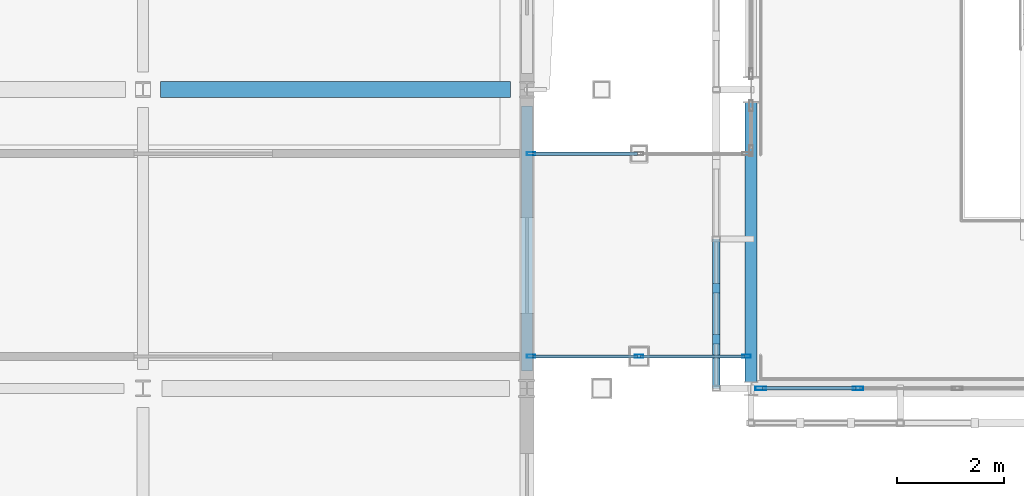
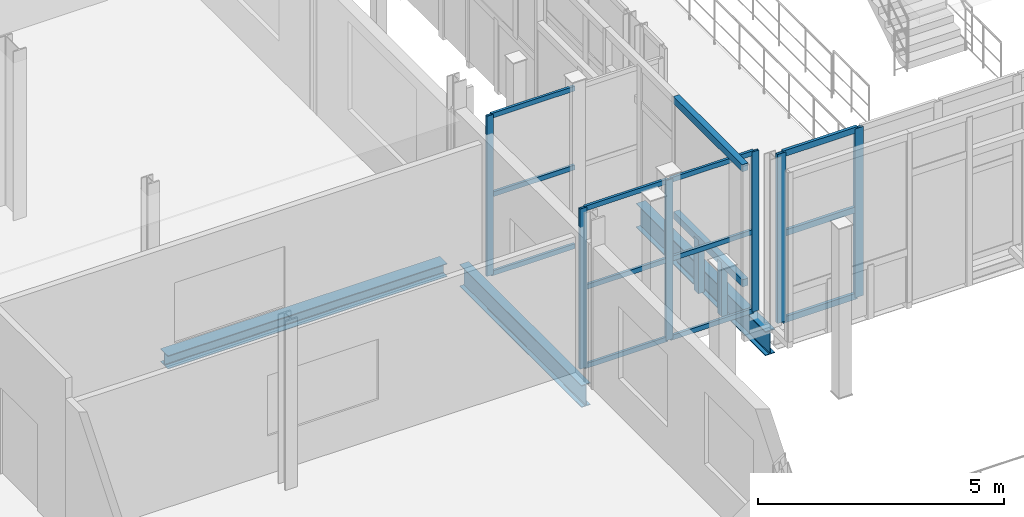
# One storey, part 26 of 138: 22 members, 3 beams, 3 elements without a shape of their own.
"""IFC4 building model written with IfcOpenShell, lengths in metres."""

from ifc_helpers import new_model, si_unit, direction, frame, origin, origin_2d, place, context, subcontext, project, spatial, rectangle, hollow_rectangle, i_section, extrude, material, layer, layer_set, material_profile, profile_set, type_object, element, aggregate, save


model = new_model("IFC4")

# Units and contexts
model_context = context("Model", 3, precision=1e-05, world=origin(), true_north=direction((0.0, 1.0)))
body_context = subcontext(model_context, "Body", "Model", "MODEL_VIEW")
ifc_project = project(units=[si_unit("LENGTHUNIT", "METRE"), si_unit("AREAUNIT", "SQUARE_METRE"), si_unit("VOLUMEUNIT", "CUBIC_METRE"), si_unit("PLANEANGLEUNIT", "RADIAN"), si_unit("MASSUNIT", "GRAM", prefix="KILO")], contexts=[model_context])

# Site, building, storey
site_placement = place(None, origin())
site = spatial("IfcSite", under=ifc_project, at=site_placement, CompositionType="ELEMENT")
building_placement = place(site_placement, origin())
building = spatial("IfcBuilding", under=site, at=building_placement, Name="Vinh Khe Railworks Police Headquarters", CompositionType="ELEMENT")
storey_placement = place(building_placement, frame((0.0, 0.0, 9.0)))
storey = spatial("IfcBuildingStorey", under=building, at=storey_placement, Name="L02", CompositionType="ELEMENT", Elevation=9.0)

# Members
ifc_material_1 = material(Name="Salvaged ironwood timber", Category="wood")
ifc_material_profile_1 = material_profile(ifc_material_1, rectangle(XDim=0.139892578125, YDim=0.179931640625, at=origin_2d()), Name="TIMBER 140x180")
ifc_profile_set_1 = profile_set([ifc_material_profile_1], Name="Salvaged ironwood timber")
member_type_1 = type_object("IfcMemberType", Name="MEM-QUILT-STILE", PredefinedType="CHORD", material=ifc_profile_set_1)
for number, where, z_axis, x_axis, name in (
    (1, (25.75, 25.199951171875, 4.1201171875), (0.0, 1.0, 0.0), (-1.0, 0.0, 0.0), "Salvaged Timber Quilt Transom W-L02-00-TOP"),
    (2, (25.75, 25.199951171875, 1.260009765625), (0.0, 1.0, 0.0), (-1.0, 0.0, 0.0), "Salvaged Timber Quilt Transom W-L02-00-M1"),
):
    element("IfcMember", number, at=place(storey_placement, frame(where, z_axis=z_axis, x_axis=x_axis)), inside=storey, type_object=member_type_1, Name=name, PredefinedType="CHORD", context=body_context, shape_type="SweptSolid", body=[
        extrude(rectangle(XDim=0.139892578125, YDim=0.179931640625, at=origin_2d()), origin(), (0.0, 0.0, 1.0), 2.800048828125),
    ])
for number, where, z_axis, x_axis, name in (
    (3, (25.75, 26.1240234375, -0.080078125), (0.0, 0.0, 1.0), (1.0, 0.0, 0.0), "Salvaged Timber Quilt Stile W-L02-00-V1"),
    (4, (25.75, 27.075927734375, -0.080078125), (0.0, 0.0, 1.0), (1.0, 0.0, 0.0), "Salvaged Timber Quilt Stile W-L02-00-V2"),
):
    element("IfcMember", number, at=place(storey_placement, frame(where, z_axis=z_axis, x_axis=x_axis)), inside=storey, type_object=member_type_1, Name=name, PredefinedType="POST", context=body_context, shape_type="SweptSolid", body=[
        extrude(rectangle(XDim=0.139892578125, YDim=0.179931640625, at=origin_2d()), origin(), (0.0, 0.0, 1.0), 1.340087890625),
    ])

# Curtain wall, members
ifc_material_2 = material(Name="Anodised aluminium and solar-control glass", Category="aluminium")
ifc_layer_1 = layer(ifc_material_2, 0.159912109375)
ifc_layer_set_1 = layer_set([ifc_layer_1], Name="Anodised aluminium and solar-control glass")
curtain_wall_type_1 = type_object("IfcCurtainWallType", Name="CW-SHOPFRONT", PredefinedType="USERDEFINED", material=ifc_layer_set_1)
curtain_wall_1_placement = place(storey_placement, origin())
curtain_wall_1 = element("IfcCurtainWall", 5, at=curtain_wall_1_placement, inside=storey, type_object=curtain_wall_type_1, Name="Atrium Stair Link Glazing L02-S", ObjectType="UNITISED GLAZING", PredefinedType="USERDEFINED")
ifc_material_3 = material(Name="Anodised aluminium 6063-T6", Category="aluminium")
ifc_material_profile_2 = material_profile(ifc_material_3, hollow_rectangle(XDim=0.06005859375, YDim=0.159912109375, WallThickness=0.00390625, at=origin_2d()), Name="CW-M 60x160x4")
ifc_profile_set_2 = profile_set([ifc_material_profile_2], Name="Anodised aluminium 6063-T6")
member_type_2 = type_object("IfcMemberType", Name="MULL-CWM-01", PredefinedType="MULLION", material=ifc_profile_set_2)
member_1_placement = place(storey_placement, frame((22.280029296875, 25.800048828125, 0.0), z_axis=(0.0, 0.0, 1.0), x_axis=(0.0, 1.0, 0.0)))
member_1 = element("IfcMember", 6, at=member_1_placement, type_object=member_type_2, Name="CW-03 mullion 1", PredefinedType="MULLION", context=body_context, shape_type="SweptSolid", body=[
    extrude(hollow_rectangle(XDim=0.06005859375, YDim=0.159912109375, WallThickness=0.00390625, at=origin_2d()), origin(), (0.0, 0.0, 1.0), 3.97998046875),
])
member_2_placement = place(storey_placement, frame((24.300048828125, 25.800048828125, 0.0), z_axis=(0.0, 0.0, 1.0), x_axis=(0.0, 1.0, 0.0)))
member_2 = element("IfcMember", 7, at=member_2_placement, type_object=member_type_2, Name="CW-03 mullion 2", PredefinedType="MULLION", context=body_context, shape_type="SweptSolid", body=[
    extrude(hollow_rectangle(XDim=0.06005859375, YDim=0.159912109375, WallThickness=0.00390625, at=origin_2d()), origin(), (0.0, 0.0, 1.0), 3.97998046875),
])
member_3_placement = place(storey_placement, frame((26.320068359375, 25.800048828125, 0.0), z_axis=(0.0, 0.0, 1.0), x_axis=(0.0, 1.0, 0.0)))
member_3 = element("IfcMember", 8, at=member_3_placement, type_object=member_type_2, Name="CW-03 mullion 3", PredefinedType="MULLION", context=body_context, shape_type="SweptSolid", body=[
    extrude(hollow_rectangle(XDim=0.06005859375, YDim=0.159912109375, WallThickness=0.00390625, at=origin_2d()), origin(), (0.0, 0.0, 1.0), 3.97998046875),
])

# Curtain wall, member
curtain_wall_2_placement = place(storey_placement, origin())
curtain_wall_2 = element("IfcCurtainWall", 9, at=curtain_wall_2_placement, inside=storey, type_object=curtain_wall_type_1, Name="Atrium Stair Link Glazing L02-N", ObjectType="UNITISED GLAZING", PredefinedType="USERDEFINED")
member_4_placement = place(storey_placement, frame((22.280029296875, 29.60009765625, 0.0), z_axis=(0.0, 0.0, 1.0), x_axis=(0.0, 1.0, 0.0)))
member_4 = element("IfcMember", 10, at=member_4_placement, type_object=member_type_2, Name="CW-03 mullion 1", PredefinedType="MULLION", context=body_context, shape_type="SweptSolid", body=[
    extrude(hollow_rectangle(XDim=0.06005859375, YDim=0.159912109375, WallThickness=0.00390625, at=origin_2d()), origin(), (0.0, 0.0, 1.0), 3.97998046875),
])

# Curtain wall, members
ifc_material_4 = material(Name="Anodised aluminium and low-iron glass", Category="aluminium")
ifc_layer_2 = layer(ifc_material_4, 0.179931640625)
ifc_layer_set_2 = layer_set([ifc_layer_2], Name="Anodised aluminium and low-iron glass")
curtain_wall_type_2 = type_object("IfcCurtainWallType", Name="CW-CUBE-UNIT", PredefinedType="USERDEFINED", material=ifc_layer_set_2)
curtain_wall_3_placement = place(storey_placement, origin())
curtain_wall_3 = element("IfcCurtainWall", 11, at=curtain_wall_3_placement, inside=storey, type_object=curtain_wall_type_2, Name="Entrance Hall Curtain Wall L02 S-1", ObjectType="UNITISED GLAZING", PredefinedType="USERDEFINED")
ifc_material_profile_3 = material_profile(ifc_material_3, hollow_rectangle(XDim=0.070068359375, YDim=0.199951171875, WallThickness=0.0048828125, at=origin_2d()), Name="CW-M 70x200x5")
ifc_profile_set_3 = profile_set([ifc_material_profile_3], Name="Anodised aluminium 6063-T6")
member_type_3 = type_object("IfcMemberType", Name="MULL-CWM-03", PredefinedType="MULLION", material=ifc_profile_set_3)
member_5_placement = place(storey_placement, frame((26.5849609375, 25.199951171875, 0.0), z_axis=(0.0, 0.0, 1.0), x_axis=(0.0, 1.0, 0.0)))
member_5 = element("IfcMember", 12, at=member_5_placement, type_object=member_type_3, Name="CW-01 mullion 1", PredefinedType="MULLION", context=body_context, shape_type="SweptSolid", body=[
    extrude(hollow_rectangle(XDim=0.070068359375, YDim=0.199951171875, WallThickness=0.0048828125, at=origin_2d()), origin(), (0.0, 0.0, 1.0), 4.199951171875),
])
member_6_placement = place(storey_placement, frame((28.40869140625, 25.199951171875, 0.0), z_axis=(0.0, 0.0, 1.0), x_axis=(0.0, 1.0, 0.0)))
member_6 = element("IfcMember", 13, at=member_6_placement, type_object=member_type_3, Name="CW-01 mullion 2", PredefinedType="MULLION", context=body_context, shape_type="SweptSolid", body=[
    extrude(hollow_rectangle(XDim=0.070068359375, YDim=0.199951171875, WallThickness=0.0048828125, at=origin_2d()), origin(), (0.0, 0.0, 1.0), 4.199951171875),
])

# Beams
ifc_material_5 = material(Name="Steel S355JR", Category="steel")
ifc_material_profile_4 = material_profile(ifc_material_5, i_section(OverallWidth=0.300048828125, OverallDepth=0.330078125, WebThickness=0.009521484375, FlangeThickness=0.0166015625, FilletRadius=0.027099609375, at=origin_2d()), Name="HEA 340")
ifc_profile_set_4 = profile_set([ifc_material_profile_4], Name="Steel S355JR")
beam_type_1 = type_object("IfcBeamType", Name="Steel Girder HEA 340", PredefinedType="BEAM", material=ifc_profile_set_4)
beam_1_placement = place(storey_placement, frame((15.330078125, 30.800048828125, -0.385009765625), z_axis=(1.0, 0.0, 0.0), x_axis=(0.0, 1.0, 0.0)))
element("IfcBeam", 14, at=beam_1_placement, inside=storey, type_object=beam_type_1, Name="Girder BM-L02-EW-SB-16-0770", PredefinedType="BEAM", context=body_context, shape_type="SweptSolid", body=[
    extrude(i_section(OverallWidth=0.300048828125, OverallDepth=0.330078125, WebThickness=0.009521484375, FlangeThickness=0.0166015625, FilletRadius=0.027099609375, at=origin_2d()), origin(), (0.0, 0.0, 1.0), 6.56494140625),
])
ifc_material_profile_5 = material_profile(ifc_material_5, i_section(OverallWidth=0.2099609375, OverallDepth=0.550048828125, WebThickness=0.010986328125, FlangeThickness=0.01708984375, FilletRadius=0.02392578125, at=origin_2d()), Name="IPE 550")
ifc_profile_set_5 = profile_set([ifc_material_profile_5], Name="Steel S355JR")
beam_type_2 = type_object("IfcBeamType", Name="Steel Girder IPE 550", PredefinedType="BEAM", material=ifc_profile_set_5)
beam_2_placement = place(storey_placement, frame((22.199951171875, 25.530029296875, -0.4951171875), z_axis=(0.0, 1.0, 0.0), x_axis=(-1.0, 0.0, 0.0)))
element("IfcBeam", 15, at=beam_2_placement, inside=storey, type_object=beam_type_2, Name="Girder BM-L02-NS-SB-18-0928", PredefinedType="BEAM", context=body_context, shape_type="SweptSolid", body=[
    extrude(i_section(OverallWidth=0.2099609375, OverallDepth=0.550048828125, WebThickness=0.010986328125, FlangeThickness=0.01708984375, FilletRadius=0.02392578125, at=origin_2d()), origin(), (0.0, 0.0, 1.0), 4.965087890625),
])
ifc_material_profile_6 = material_profile(ifc_material_5, i_section(OverallWidth=0.219970703125, OverallDepth=0.60009765625, WebThickness=0.011962890625, FlangeThickness=0.01904296875, FilletRadius=0.02392578125, at=origin_2d()), Name="IPE 600")
ifc_profile_set_6 = profile_set([ifc_material_profile_6], Name="Steel S355JR")
beam_type_3 = type_object("IfcBeamType", Name="Steel Girder IPE 600", PredefinedType="BEAM", material=ifc_profile_set_6)
beam_3_placement = place(storey_placement, frame((26.39990234375, 25.31005859375, -0.52001953125), z_axis=(0.0, 1.0, 0.0), x_axis=(-1.0, 0.0, 0.0)))
element("IfcBeam", 16, at=beam_3_placement, inside=storey, type_object=beam_type_3, Name="Girder BM-L02-NS-SB-17-0945", PredefinedType="BEAM", context=body_context, shape_type="SweptSolid", body=[
    extrude(i_section(OverallWidth=0.219970703125, OverallDepth=0.60009765625, WebThickness=0.011962890625, FlangeThickness=0.01904296875, FilletRadius=0.02392578125, at=origin_2d()), origin(), (0.0, 0.0, 1.0), 5.264892578125),
])

# Member
ifc_material_profile_7 = material_profile(ifc_material_3, hollow_rectangle(XDim=0.06005859375, YDim=0.1201171875, WallThickness=0.00390625, at=origin_2d()), Name="CW-T 60x120x4")
ifc_profile_set_7 = profile_set([ifc_material_profile_7], Name="Anodised aluminium 6063-T6")
member_type_4 = type_object("IfcMemberType", Name="TRAN-CWT-01", PredefinedType="USERDEFINED", material=ifc_profile_set_7)
member_7_placement = place(storey_placement, frame((22.31005859375, 25.800048828125, 0.030029296875), z_axis=(1.0, 0.0, 0.0), x_axis=(0.0, 1.0, 0.0)))
member_7 = element("IfcMember", 17, at=member_7_placement, type_object=member_type_4, Name="CW-03 transom 1.1", ObjectType="TRANSOM", PredefinedType="USERDEFINED", context=body_context, shape_type="SweptSolid", body=[
    extrude(hollow_rectangle(XDim=0.06005859375, YDim=0.1201171875, WallThickness=0.00390625, at=origin_2d()), origin(), (0.0, 0.0, 1.0), 1.9599609375),
])

member_8_placement = place(storey_placement, frame((22.31005859375, 25.800048828125, 1.989990234375), z_axis=(1.0, 0.0, 0.0), x_axis=(0.0, 1.0, 0.0)))
member_8 = element("IfcMember", 18, at=member_8_placement, type_object=member_type_4, Name="CW-03 transom 1.2", ObjectType="TRANSOM", PredefinedType="USERDEFINED", context=body_context, shape_type="SweptSolid", body=[
    extrude(hollow_rectangle(XDim=0.06005859375, YDim=0.1201171875, WallThickness=0.00390625, at=origin_2d()), origin(), (0.0, 0.0, 1.0), 1.9599609375),
])

member_9_placement = place(storey_placement, frame((22.31005859375, 25.800048828125, 3.949951171875), z_axis=(1.0, 0.0, 0.0), x_axis=(0.0, 1.0, 0.0)))
member_9 = element("IfcMember", 19, at=member_9_placement, type_object=member_type_4, Name="CW-03 transom 1.3", ObjectType="TRANSOM", PredefinedType="USERDEFINED", context=body_context, shape_type="SweptSolid", body=[
    extrude(hollow_rectangle(XDim=0.06005859375, YDim=0.1201171875, WallThickness=0.00390625, at=origin_2d()), origin(), (0.0, 0.0, 1.0), 1.9599609375),
])

member_10_placement = place(storey_placement, frame((24.330078125, 25.800048828125, 0.030029296875), z_axis=(1.0, 0.0, 0.0), x_axis=(0.0, 1.0, 0.0)))
member_10 = element("IfcMember", 20, at=member_10_placement, type_object=member_type_4, Name="CW-03 transom 2.1", ObjectType="TRANSOM", PredefinedType="USERDEFINED", context=body_context, shape_type="SweptSolid", body=[
    extrude(hollow_rectangle(XDim=0.06005859375, YDim=0.1201171875, WallThickness=0.00390625, at=origin_2d()), origin(), (0.0, 0.0, 1.0), 1.9599609375),
])

member_11_placement = place(storey_placement, frame((24.330078125, 25.800048828125, 1.989990234375), z_axis=(1.0, 0.0, 0.0), x_axis=(0.0, 1.0, 0.0)))
member_11 = element("IfcMember", 21, at=member_11_placement, type_object=member_type_4, Name="CW-03 transom 2.2", ObjectType="TRANSOM", PredefinedType="USERDEFINED", context=body_context, shape_type="SweptSolid", body=[
    extrude(hollow_rectangle(XDim=0.06005859375, YDim=0.1201171875, WallThickness=0.00390625, at=origin_2d()), origin(), (0.0, 0.0, 1.0), 1.9599609375),
])

member_12_placement = place(storey_placement, frame((24.330078125, 25.800048828125, 3.949951171875), z_axis=(1.0, 0.0, 0.0), x_axis=(0.0, 1.0, 0.0)))
member_12 = element("IfcMember", 22, at=member_12_placement, type_object=member_type_4, Name="CW-03 transom 2.3", ObjectType="TRANSOM", PredefinedType="USERDEFINED", context=body_context, shape_type="SweptSolid", body=[
    extrude(hollow_rectangle(XDim=0.06005859375, YDim=0.1201171875, WallThickness=0.00390625, at=origin_2d()), origin(), (0.0, 0.0, 1.0), 1.9599609375),
])

aggregate(curtain_wall_1, [member_1, member_2, member_3, member_7, member_8, member_9, member_10, member_11, member_12])

member_13_placement = place(storey_placement, frame((22.31005859375, 29.60009765625, 0.030029296875), z_axis=(1.0, 0.0, 0.0), x_axis=(0.0, 1.0, 0.0)))
member_13 = element("IfcMember", 23, at=member_13_placement, type_object=member_type_4, Name="CW-03 transom 1.1", ObjectType="TRANSOM", PredefinedType="USERDEFINED", context=body_context, shape_type="SweptSolid", body=[
    extrude(hollow_rectangle(XDim=0.06005859375, YDim=0.1201171875, WallThickness=0.00390625, at=origin_2d()), origin(), (0.0, 0.0, 1.0), 1.9599609375),
])

member_14_placement = place(storey_placement, frame((22.31005859375, 29.60009765625, 1.989990234375), z_axis=(1.0, 0.0, 0.0), x_axis=(0.0, 1.0, 0.0)))
member_14 = element("IfcMember", 24, at=member_14_placement, type_object=member_type_4, Name="CW-03 transom 1.2", ObjectType="TRANSOM", PredefinedType="USERDEFINED", context=body_context, shape_type="SweptSolid", body=[
    extrude(hollow_rectangle(XDim=0.06005859375, YDim=0.1201171875, WallThickness=0.00390625, at=origin_2d()), origin(), (0.0, 0.0, 1.0), 1.9599609375),
])

member_15_placement = place(storey_placement, frame((22.31005859375, 29.60009765625, 3.949951171875), z_axis=(1.0, 0.0, 0.0), x_axis=(0.0, 1.0, 0.0)))
member_15 = element("IfcMember", 25, at=member_15_placement, type_object=member_type_4, Name="CW-03 transom 1.3", ObjectType="TRANSOM", PredefinedType="USERDEFINED", context=body_context, shape_type="SweptSolid", body=[
    extrude(hollow_rectangle(XDim=0.06005859375, YDim=0.1201171875, WallThickness=0.00390625, at=origin_2d()), origin(), (0.0, 0.0, 1.0), 1.9599609375),
])

aggregate(curtain_wall_2, [member_4, member_13, member_14, member_15])

ifc_material_profile_8 = material_profile(ifc_material_3, hollow_rectangle(XDim=0.070068359375, YDim=0.14990234375, WallThickness=0.0048828125, at=origin_2d()), Name="CW-T 70x150x5")
ifc_profile_set_8 = profile_set([ifc_material_profile_8], Name="Anodised aluminium 6063-T6")
member_type_5 = type_object("IfcMemberType", Name="TRAN-CWT-03", PredefinedType="USERDEFINED", material=ifc_profile_set_8)
member_16_placement = place(storey_placement, frame((26.6201171875, 25.199951171875, 0.034912109375), z_axis=(1.0, 0.0, 0.0), x_axis=(0.0, 1.0, 0.0)))
member_16 = element("IfcMember", 26, at=member_16_placement, type_object=member_type_5, Name="CW-01 transom 1.1", ObjectType="TRANSOM", PredefinedType="USERDEFINED", context=body_context, shape_type="SweptSolid", body=[
    extrude(hollow_rectangle(XDim=0.070068359375, YDim=0.14990234375, WallThickness=0.0048828125, at=origin_2d()), origin(), (0.0, 0.0, 1.0), 1.753662109375),
])

member_17_placement = place(storey_placement, frame((26.6201171875, 25.199951171875, 2.18408203125), z_axis=(1.0, 0.0, 0.0), x_axis=(0.0, 1.0, 0.0)))
member_17 = element("IfcMember", 27, at=member_17_placement, type_object=member_type_5, Name="CW-01 transom 1.2", ObjectType="TRANSOM", PredefinedType="USERDEFINED", context=body_context, shape_type="SweptSolid", body=[
    extrude(hollow_rectangle(XDim=0.070068359375, YDim=0.14990234375, WallThickness=0.0048828125, at=origin_2d()), origin(), (0.0, 0.0, 1.0), 1.753662109375),
])

member_18_placement = place(storey_placement, frame((26.6201171875, 25.199951171875, 4.1650390625), z_axis=(1.0, 0.0, 0.0), x_axis=(0.0, 1.0, 0.0)))
member_18 = element("IfcMember", 28, at=member_18_placement, type_object=member_type_5, Name="CW-01 transom 1.3", ObjectType="TRANSOM", PredefinedType="USERDEFINED", context=body_context, shape_type="SweptSolid", body=[
    extrude(hollow_rectangle(XDim=0.070068359375, YDim=0.14990234375, WallThickness=0.0048828125, at=origin_2d()), origin(), (0.0, 0.0, 1.0), 1.753662109375),
])

aggregate(curtain_wall_3, [member_5, member_6, member_16, member_17, member_18])

save(model, "model.ifc")
